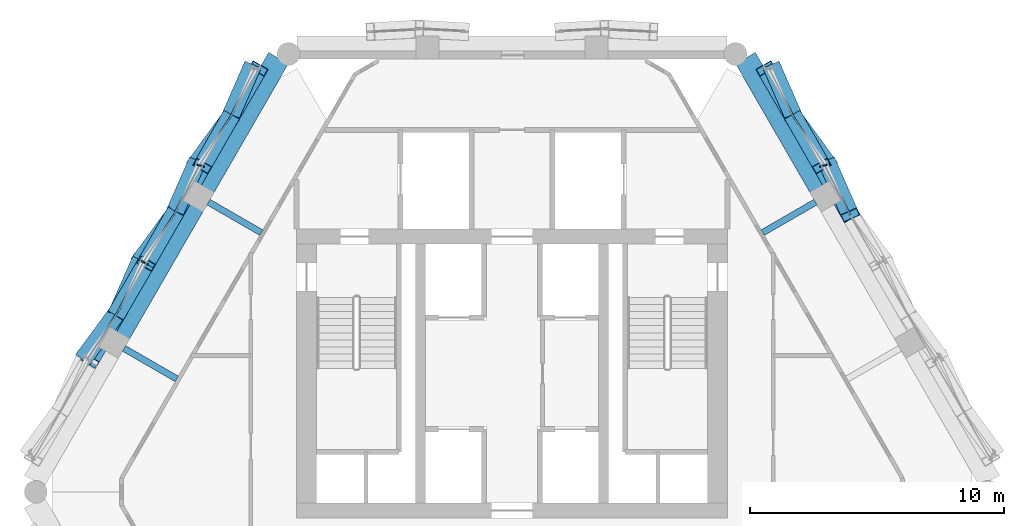
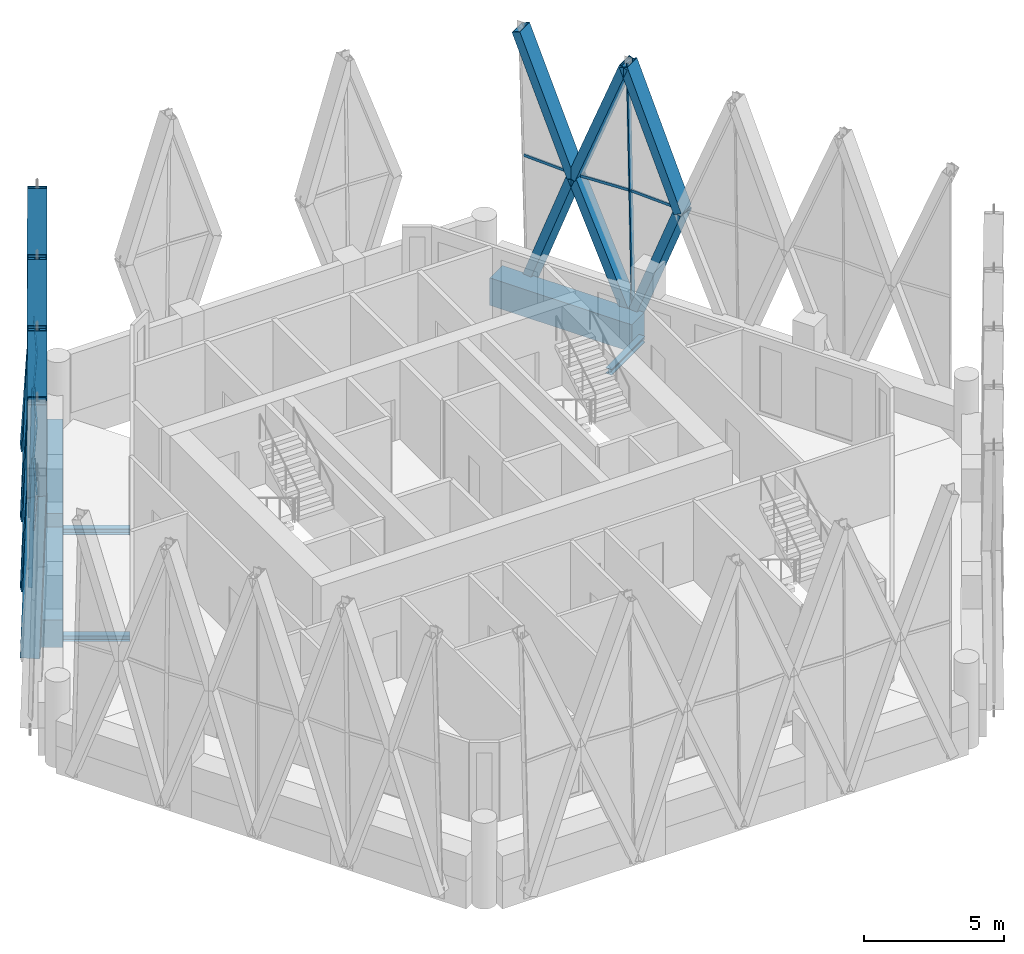
# One storey, part 5 of 22: 33 members, 6 beams, 4 elements without a shape of their own.
"""IFC4 building model written with IfcOpenShell, lengths in metres."""

from ifc_helpers import new_model, si_unit, direction, frame, origin, origin_2d, place, context, subcontext, project, spatial, rectangle, hollow_rectangle, i_section, extrude, material, material_profile, profile_set, type_object, element, aggregate, save


model = new_model("IFC4")

# Units and contexts
model_context = context("Model", 3, precision=1e-05, world=origin(), true_north=direction((0.0, 1.0)))
body_context = subcontext(model_context, "Body", "Model", "MODEL_VIEW")
ifc_project = project(units=[si_unit("LENGTHUNIT", "METRE"), si_unit("AREAUNIT", "SQUARE_METRE"), si_unit("VOLUMEUNIT", "CUBIC_METRE"), si_unit("PLANEANGLEUNIT", "RADIAN"), si_unit("MASSUNIT", "GRAM", prefix="KILO")], contexts=[model_context])

# Site, building, storey
site_placement = place(None, origin())
site = spatial("IfcSite", under=ifc_project, at=site_placement, CompositionType="ELEMENT")
building_placement = place(site_placement, origin())
building = spatial("IfcBuilding", under=site, at=building_placement, Name="Ostrander Bayou Hotel Tower", CompositionType="ELEMENT")
storey_placement = place(building_placement, frame((0.0, 0.0, 245.0)))
storey = spatial("IfcBuildingStorey", under=building, at=storey_placement, Name="L60", CompositionType="ELEMENT", Elevation=245.0)

# Curtain wall, members
ifc_material_1 = material(Name="Aluminium and clear glass", Category="aluminium")
curtain_wall_type = type_object("IfcCurtainWallType", Name="CW-LAT lattice glazing", PredefinedType="NOTDEFINED", material=ifc_material_1)
curtain_wall_1_placement = place(storey_placement, origin())
curtain_wall_1 = element("IfcCurtainWall", 1, at=curtain_wall_1_placement, inside=storey, type_object=curtain_wall_type, Name="CW-LAT L60 NW 1", PredefinedType="NOTDEFINED")
ifc_material_2 = material(Name="Aluminium", Category="aluminium")
ifc_material_profile_1 = material_profile(ifc_material_2, hollow_rectangle(XDim=0.06005859375, YDim=0.159912109375, WallThickness=0.00390625, at=origin_2d()))
ifc_profile_set_1 = profile_set([ifc_material_profile_1], Name="Aluminium")
member_type_1 = type_object("IfcMemberType", Name="CW-LA mullion 60 x 160 mm", PredefinedType="MULLION", material=ifc_profile_set_1)
member_1_placement = place(storey_placement, frame((-12.45556640625, 12.2353515625, -0.60009765625), z_axis=(0.022042924236, -0.005467339476, 0.999742075583), x_axis=(0.240736986276, 0.970590389113, 0.0)))
member_1 = element("IfcMember", 2, at=member_1_placement, type_object=member_type_1, Name="CW-LAT mullion 4", PredefinedType="MULLION", context=body_context, shape_type="SweptSolid", body=[
    extrude(hollow_rectangle(XDim=0.06005859375, YDim=0.159912109375, WallThickness=0.00390625, at=origin_2d()), origin(), (0.0, 0.0, 1.0), 5.62646484375),
])
member_2_placement = place(storey_placement, frame((-12.33154296875, 12.20458984375, 5.02490234375), z_axis=(0.022042929445, -0.005423949174, 0.999742311817), x_axis=(0.238935863932, 0.971035351018, 0.0)))
member_2 = element("IfcMember", 3, at=member_2_placement, type_object=member_type_1, Name="CW-LAT mullion 5", PredefinedType="MULLION", context=body_context, shape_type="SweptSolid", body=[
    extrude(hollow_rectangle(XDim=0.06005859375, YDim=0.159912109375, WallThickness=0.00390625, at=origin_2d()), origin(), (0.0, 0.0, 1.0), 5.62646484375),
])
member_3_placement = place(storey_placement, frame((-14.6396484375, 8.4521484375, -0.60009765625), z_axis=(0.018875724526, -0.010891510014, 0.999762512817), x_axis=(0.499779910804, 0.866152435058, 0.0)))
member_3 = element("IfcMember", 4, at=member_3_placement, type_object=member_type_1, Name="CW-LAT mullion 8", PredefinedType="MULLION", context=body_context, shape_type="SweptSolid", body=[
    extrude(hollow_rectangle(XDim=0.06005859375, YDim=0.159912109375, WallThickness=0.00390625, at=origin_2d()), origin(), (0.0, 0.0, 1.0), 5.626220703125),
])
member_4_placement = place(storey_placement, frame((-14.533447265625, 8.390869140625, 5.02490234375), z_axis=(0.018919101482, -0.010891501083, 0.999761693007), x_axis=(0.498919206287, 0.866648501757, 0.0)))
member_4 = element("IfcMember", 5, at=member_4_placement, type_object=member_type_1, Name="CW-LAT mullion 9", PredefinedType="MULLION", context=body_context, shape_type="SweptSolid", body=[
    extrude(hollow_rectangle(XDim=0.06005859375, YDim=0.159912109375, WallThickness=0.00390625, at=origin_2d()), origin(), (0.0, 0.0, 1.0), 5.626220703125),
])
aggregate(curtain_wall_1, [member_1, member_2, member_3, member_4])

curtain_wall_2_placement = place(storey_placement, origin())
curtain_wall_2 = element("IfcCurtainWall", 6, at=curtain_wall_2_placement, inside=storey, type_object=curtain_wall_type, Name="CW-LAT L60 NE 1", PredefinedType="NOTDEFINED")
member_5_placement = place(storey_placement, frame((12.45556640625, 12.2353515625, -0.60009765625), z_axis=(-0.022042924236, -0.005467339476, 0.999742075583), x_axis=(0.240736986276, -0.970590389113, 0.0)))
member_5 = element("IfcMember", 7, at=member_5_placement, type_object=member_type_1, Name="CW-LAT mullion 12", PredefinedType="MULLION", context=body_context, shape_type="SweptSolid", body=[
    extrude(hollow_rectangle(XDim=0.06005859375, YDim=0.159912109375, WallThickness=0.00390625, at=origin_2d()), origin(), (0.0, 0.0, 1.0), 5.62646484375),
])
member_6_placement = place(storey_placement, frame((12.33154296875, 12.20458984375, 5.02490234375), z_axis=(-0.022042929445, -0.005423949174, 0.999742311817), x_axis=(0.238935863932, -0.971035351018, 0.0)))
member_6 = element("IfcMember", 8, at=member_6_placement, type_object=member_type_1, Name="CW-LAT mullion 13", PredefinedType="MULLION", context=body_context, shape_type="SweptSolid", body=[
    extrude(hollow_rectangle(XDim=0.06005859375, YDim=0.159912109375, WallThickness=0.00390625, at=origin_2d()), origin(), (0.0, 0.0, 1.0), 5.62646484375),
])
aggregate(curtain_wall_2, [member_5, member_6])

curtain_wall_3_placement = place(storey_placement, origin())
curtain_wall_3 = element("IfcCurtainWall", 9, at=curtain_wall_3_placement, inside=storey, type_object=curtain_wall_type, Name="CW-LAT L60 NW 2", PredefinedType="NOTDEFINED")
ifc_material_3 = material(Name="Aluminium", Category="aluminium")
ifc_material_profile_2 = material_profile(ifc_material_3, hollow_rectangle(XDim=0.06005859375, YDim=0.1201171875, WallThickness=0.00390625, at=origin_2d()))
ifc_profile_set_2 = profile_set([ifc_material_profile_2], Name="Aluminium")
member_type_2 = type_object("IfcMemberType", Name="CW-LA transom 60 x 120 mm", PredefinedType="USERDEFINED", material=ifc_profile_set_2)
member_7_placement = place(storey_placement, frame((-10.129638671875, 16.0185546875, 5.02490234375), z_axis=(-0.454330476541, -0.890833215639, 0.0), x_axis=(0.890833215639, -0.454330476541, 0.0)))
member_7 = element("IfcMember", 10, at=member_7_placement, type_object=member_type_2, Name="CW-LAT transom 3", ObjectType="TRANSOM", PredefinedType="USERDEFINED", context=body_context, shape_type="SweptSolid", body=[
    extrude(hollow_rectangle(XDim=0.06005859375, YDim=0.1201171875, WallThickness=0.00390625, at=origin_2d()), origin(), (0.0, 0.0, 1.0), 2.204833984375),
])
member_8_placement = place(storey_placement, frame((-12.33154296875, 12.20458984375, 5.02490234375), z_axis=(0.54428377373, 0.838901170373, 0.0), x_axis=(-0.838901170373, 0.54428377373, 0.0)))
member_8 = element("IfcMember", 11, at=member_8_placement, type_object=member_type_2, Name="CW-LAT transom 6", ObjectType="TRANSOM", PredefinedType="USERDEFINED", context=body_context, shape_type="SweptSolid", body=[
    extrude(hollow_rectangle(XDim=0.06005859375, YDim=0.1201171875, WallThickness=0.00390625, at=origin_2d()), origin(), (0.0, 0.0, 1.0), 2.205078125),
])
member_9_placement = place(storey_placement, frame((-12.33154296875, 12.20458984375, 5.02490234375), z_axis=(-0.454330476541, -0.890833215639, 0.0), x_axis=(0.890833215639, -0.454330476541, 0.0)))
member_9 = element("IfcMember", 12, at=member_9_placement, type_object=member_type_2, Name="CW-LAT transom 7", ObjectType="TRANSOM", PredefinedType="USERDEFINED", context=body_context, shape_type="SweptSolid", body=[
    extrude(hollow_rectangle(XDim=0.06005859375, YDim=0.1201171875, WallThickness=0.00390625, at=origin_2d()), origin(), (0.0, 0.0, 1.0), 2.204833984375),
])
member_10_placement = place(storey_placement, frame((-14.533447265625, 8.390869140625, 5.02490234375), z_axis=(0.54433433076, 0.838868366525, 0.0), x_axis=(-0.838868366525, 0.54433433076, 0.0)))
member_10 = element("IfcMember", 13, at=member_10_placement, type_object=member_type_2, Name="CW-LAT transom 10", ObjectType="TRANSOM", PredefinedType="USERDEFINED", context=body_context, shape_type="SweptSolid", body=[
    extrude(hollow_rectangle(XDim=0.06005859375, YDim=0.1201171875, WallThickness=0.00390625, at=origin_2d()), origin(), (0.0, 0.0, 1.0), 2.204833984375),
])
member_11_placement = place(storey_placement, frame((-14.533447265625, 8.390869140625, 5.02490234375), z_axis=(-0.454330476541, -0.890833215639, 0.0), x_axis=(0.890833215639, -0.454330476541, 0.0)))
member_11 = element("IfcMember", 14, at=member_11_placement, type_object=member_type_2, Name="CW-LAT transom 11", ObjectType="TRANSOM", PredefinedType="USERDEFINED", context=body_context, shape_type="SweptSolid", body=[
    extrude(hollow_rectangle(XDim=0.06005859375, YDim=0.1201171875, WallThickness=0.00390625, at=origin_2d()), origin(), (0.0, 0.0, 1.0), 2.204833984375),
])
member_12_placement = place(storey_placement, frame((-16.7353515625, 4.5771484375, 5.02490234375), z_axis=(0.54433433076, 0.838868366525, 0.0), x_axis=(-0.838868366525, 0.54433433076, 0.0)))
member_12 = element("IfcMember", 15, at=member_12_placement, type_object=member_type_2, Name="CW-LAT transom 14", ObjectType="TRANSOM", PredefinedType="USERDEFINED", context=body_context, shape_type="SweptSolid", body=[
    extrude(hollow_rectangle(XDim=0.06005859375, YDim=0.1201171875, WallThickness=0.00390625, at=origin_2d()), origin(), (0.0, 0.0, 1.0), 2.204833984375),
])
aggregate(curtain_wall_3, [member_7, member_8, member_9, member_10, member_11, member_12])

curtain_wall_4_placement = place(storey_placement, origin())
curtain_wall_4 = element("IfcCurtainWall", 16, at=curtain_wall_4_placement, inside=storey, type_object=curtain_wall_type, Name="CW-LAT L60 NE 2", PredefinedType="NOTDEFINED")
member_13_placement = place(storey_placement, frame((12.33154296875, 12.20458984375, 5.02490234375), z_axis=(0.454330476541, -0.890833215639, 0.0), x_axis=(0.890833215639, 0.454330476541, 0.0)))
member_13 = element("IfcMember", 17, at=member_13_placement, type_object=member_type_2, Name="CW-LAT transom 14", ObjectType="TRANSOM", PredefinedType="USERDEFINED", context=body_context, shape_type="SweptSolid", body=[
    extrude(hollow_rectangle(XDim=0.06005859375, YDim=0.1201171875, WallThickness=0.00390625, at=origin_2d()), origin(), (0.0, 0.0, 1.0), 2.204833984375),
])
member_14_placement = place(storey_placement, frame((12.33154296875, 12.20458984375, 5.02490234375), z_axis=(-0.54428377373, 0.838901170373, 0.0), x_axis=(-0.838901170373, -0.54428377373, 0.0)))
member_14 = element("IfcMember", 18, at=member_14_placement, type_object=member_type_2, Name="CW-LAT transom 15", ObjectType="TRANSOM", PredefinedType="USERDEFINED", context=body_context, shape_type="SweptSolid", body=[
    extrude(hollow_rectangle(XDim=0.06005859375, YDim=0.1201171875, WallThickness=0.00390625, at=origin_2d()), origin(), (0.0, 0.0, 1.0), 2.205078125),
])
member_15_placement = place(storey_placement, frame((10.129638671875, 16.0185546875, 5.02490234375), z_axis=(0.454330476541, -0.890833215639, 0.0), x_axis=(0.890833215639, 0.454330476541, 0.0)))
member_15 = element("IfcMember", 19, at=member_15_placement, type_object=member_type_2, Name="CW-LAT transom 18", ObjectType="TRANSOM", PredefinedType="USERDEFINED", context=body_context, shape_type="SweptSolid", body=[
    extrude(hollow_rectangle(XDim=0.06005859375, YDim=0.1201171875, WallThickness=0.00390625, at=origin_2d()), origin(), (0.0, 0.0, 1.0), 2.204833984375),
])
aggregate(curtain_wall_4, [member_13, member_14, member_15])

# Beams
ifc_material_4 = material(Name="Steel ASTM A992", Category="steel")
ifc_material_profile_3 = material_profile(ifc_material_4, i_section(OverallWidth=0.25390625, OverallDepth=0.25341796875, WebThickness=0.008544921875, FlangeThickness=0.01416015625, at=origin_2d()))
ifc_profile_set_3 = profile_set([ifc_material_profile_3], Name="Steel ASTM A992")
beam_type_1 = type_object("IfcBeamType", Name="LB2 loggia bracket W10x49", PredefinedType="BEAM", material=ifc_profile_set_3)
for number, where, z_axis, x_axis, name in (
    (20, (-11.9619140625, 10.75048828125, -0.4267578125), (0.866050077142, -0.499957262057, 0.0), (0.499957262057, 0.866050077142, 0.0), "LB2 L60 NW1"),
    (21, (-15.291259765625, 4.98388671875, -0.4267578125), (0.866050077142, -0.499957262057, 0.0), (0.499957262057, 0.866050077142, 0.0), "LB2 L60 NW2"),
    (22, (11.9619140625, 10.75048828125, -0.4267578125), (-0.866050077142, -0.499957262057, 0.0), (0.499957262057, -0.866050077142, 0.0), "LB2 L60 NE2"),
):
    element("IfcBeam", number, at=place(storey_placement, frame(where, z_axis=z_axis, x_axis=x_axis)), inside=storey, type_object=beam_type_1, Name=name, PredefinedType="BEAM", context=body_context, shape_type="SweptSolid", body=[
        extrude(i_section(OverallWidth=0.25390625, OverallDepth=0.25341796875, WebThickness=0.008544921875, FlangeThickness=0.01416015625, at=origin_2d()), origin(), (0.0, 0.0, 1.0), 2.400146484375),
    ])

# Members
ifc_material_5 = material(Name="Steel ASTM A572 Gr 50", Category="steel")
ifc_material_profile_4 = material_profile(ifc_material_5, hollow_rectangle(XDim=0.699951171875, YDim=0.35009765625, WallThickness=0.02490234375, at=origin_2d()))
ifc_profile_set_4 = profile_set([ifc_material_profile_4], Name="Steel ASTM A572 Gr 50")
member_type_3 = type_object("IfcMemberType", Name="LT1 lattice member box 700 x 350 x 25 mm", PredefinedType="BRACE", material=ifc_profile_set_4)
member_16_placement = place(storey_placement, frame((-11.13134765625, 14.054443359375, 5.02490234375), z_axis=(0.142879436084, 0.326274499943, -0.934414478394), x_axis=(-0.91601877937, 0.401135383433, 0.0)))
element("IfcMember", 23, at=member_16_placement, inside=storey, type_object=member_type_3, Name="LT1 L60 NW 1", PredefinedType="BRACE", context=body_context, shape_type="SweptSolid", body=[
    extrude(hollow_rectangle(XDim=0.699951171875, YDim=0.35009765625, WallThickness=0.02490234375, at=origin_2d()), origin(), (0.0, 0.0, 1.0), 6.019775390625),
])
member_17_placement = place(storey_placement, frame((-11.13134765625, 14.054443359375, 5.02490234375), z_axis=(0.188493848396, 0.323747440296, 0.927177255987), x_axis=(-0.864195484681, 0.503156202641, 0.0)))
element("IfcMember", 24, at=member_17_placement, inside=storey, type_object=member_type_3, Name="LT1 L60 NW 2", PredefinedType="BRACE", context=body_context, shape_type="SweptSolid", body=[
    extrude(hollow_rectangle(XDim=0.699951171875, YDim=0.35009765625, WallThickness=0.02490234375, at=origin_2d()), origin(), (0.0, 0.0, 1.0), 6.06689453125),
])
member_18_placement = place(storey_placement, frame((-11.13134765625, 14.054443359375, 5.02490234375), z_axis=(-0.218578440214, -0.3002632666, -0.92847479029), x_axis=(0.808473244738, -0.58853293242, 0.0)))
element("IfcMember", 25, at=member_18_placement, inside=storey, type_object=member_type_3, Name="LT1 L60 NW 3", PredefinedType="BRACE", context=body_context, shape_type="SweptSolid", body=[
    extrude(hollow_rectangle(XDim=0.699951171875, YDim=0.35009765625, WallThickness=0.02490234375, at=origin_2d()), origin(), (0.0, 0.0, 1.0), 6.058349609375),
])
member_19_placement = place(storey_placement, frame((-11.13134765625, 14.054443359375, 5.02490234375), z_axis=(-0.178534292644, -0.311948984106, 0.93317379821), x_axis=(0.867910088652, -0.496721328328, 0.0)))
element("IfcMember", 26, at=member_19_placement, inside=storey, type_object=member_type_3, Name="LT1 L60 NW 4", PredefinedType="BRACE", context=body_context, shape_type="SweptSolid", body=[
    extrude(hollow_rectangle(XDim=0.699951171875, YDim=0.35009765625, WallThickness=0.02490234375, at=origin_2d()), origin(), (0.0, 0.0, 1.0), 6.02783203125),
])
member_20_placement = place(storey_placement, frame((-13.333251953125, 10.240478515625, 5.02490234375), z_axis=(0.145493999431, 0.330690255731, -0.932456675076), x_axis=(-0.915324942865, 0.402716089781, 0.0)))
element("IfcMember", 27, at=member_20_placement, inside=storey, type_object=member_type_3, Name="LT1 L60 NW 5", PredefinedType="BRACE", context=body_context, shape_type="SweptSolid", body=[
    extrude(hollow_rectangle(XDim=0.699951171875, YDim=0.35009765625, WallThickness=0.02490234375, at=origin_2d()), origin(), (0.0, 0.0, 1.0), 6.032470703125),
])
member_21_placement = place(storey_placement, frame((-13.333251953125, 10.240478515625, 5.02490234375), z_axis=(0.185959271811, 0.319409549499, 0.929191416725), x_axis=(-0.864206011843, 0.503138121289, 0.0)))
element("IfcMember", 28, at=member_21_placement, inside=storey, type_object=member_type_3, Name="LT1 L60 NW 6", PredefinedType="BRACE", context=body_context, shape_type="SweptSolid", body=[
    extrude(hollow_rectangle(XDim=0.699951171875, YDim=0.35009765625, WallThickness=0.02490234375, at=origin_2d()), origin(), (0.0, 0.0, 1.0), 6.0537109375),
])
member_22_placement = place(storey_placement, frame((-13.333251953125, 10.240478515625, 5.02490234375), z_axis=(-0.216101865985, -0.295822494551, -0.930477853168), x_axis=(0.807490080198, -0.58988114937, 0.0)))
element("IfcMember", 29, at=member_22_placement, inside=storey, type_object=member_type_3, Name="LT1 L60 NW 7", PredefinedType="BRACE", context=body_context, shape_type="SweptSolid", body=[
    extrude(hollow_rectangle(XDim=0.699951171875, YDim=0.35009765625, WallThickness=0.02490234375, at=origin_2d()), origin(), (0.0, 0.0, 1.0), 6.045166015625),
])
member_23_placement = place(storey_placement, frame((-13.333251953125, 10.240478515625, 5.02490234375), z_axis=(-0.181067539031, -0.316342774107, 0.931204486447), x_axis=(0.867888091678, -0.496759761175, 0.0)))
element("IfcMember", 30, at=member_23_placement, inside=storey, type_object=member_type_3, Name="LT1 L60 NW 8", PredefinedType="BRACE", context=body_context, shape_type="SweptSolid", body=[
    extrude(hollow_rectangle(XDim=0.699951171875, YDim=0.35009765625, WallThickness=0.02490234375, at=origin_2d()), origin(), (0.0, 0.0, 1.0), 6.04052734375),
])
member_24_placement = place(storey_placement, frame((-15.53515625, 6.4267578125, 5.02490234375), z_axis=(0.148134693691, 0.335039645272, -0.930486189377), x_axis=(-0.914591798249, 0.404378340884, 0.0)))
element("IfcMember", 31, at=member_24_placement, inside=storey, type_object=member_type_3, Name="LT1 L60 NW 9", PredefinedType="BRACE", context=body_context, shape_type="SweptSolid", body=[
    extrude(hollow_rectangle(XDim=0.699951171875, YDim=0.35009765625, WallThickness=0.02490234375, at=origin_2d()), origin(), (0.0, 0.0, 1.0), 6.045166015625),
])
member_25_placement = place(storey_placement, frame((-15.53515625, 6.4267578125, 5.02490234375), z_axis=(0.183449642421, 0.315004739597, 0.931191839917), x_axis=(-0.864140593634, 0.503250468887, 0.0)))
element("IfcMember", 32, at=member_25_placement, inside=storey, type_object=member_type_3, Name="LT1 L60 NW 10", PredefinedType="BRACE", context=body_context, shape_type="SweptSolid", body=[
    extrude(hollow_rectangle(XDim=0.699951171875, YDim=0.35009765625, WallThickness=0.02490234375, at=origin_2d()), origin(), (0.0, 0.0, 1.0), 6.04052734375),
])
member_26_placement = place(storey_placement, frame((-15.53515625, 6.4267578125, 5.02490234375), z_axis=(-0.213646786163, -0.291351243339, -0.932453486114), x_axis=(0.806419240715, -0.591344238329, 0.0)))
element("IfcMember", 33, at=member_26_placement, inside=storey, type_object=member_type_3, Name="LT1 L60 NW 11", PredefinedType="BRACE", context=body_context, shape_type="SweptSolid", body=[
    extrude(hollow_rectangle(XDim=0.699951171875, YDim=0.35009765625, WallThickness=0.02490234375, at=origin_2d()), origin(), (0.0, 0.0, 1.0), 6.032470703125),
])
member_27_placement = place(storey_placement, frame((-15.53515625, 6.4267578125, 5.02490234375), z_axis=(-0.183621311744, -0.320742431868, 0.929197237551), x_axis=(0.867846668759, -0.496832124086, 0.0)))
element("IfcMember", 34, at=member_27_placement, inside=storey, type_object=member_type_3, Name="LT1 L60 NW 12", PredefinedType="BRACE", context=body_context, shape_type="SweptSolid", body=[
    extrude(hollow_rectangle(XDim=0.699951171875, YDim=0.35009765625, WallThickness=0.02490234375, at=origin_2d()), origin(), (0.0, 0.0, 1.0), 6.0537109375),
])
member_28_placement = place(storey_placement, frame((13.333251953125, 10.240478515625, 5.02490234375), z_axis=(-0.145493999431, 0.330690255731, -0.932456675076), x_axis=(-0.915324942865, -0.402716089781, 0.0)))
element("IfcMember", 35, at=member_28_placement, inside=storey, type_object=member_type_3, Name="LT1 L60 NE 11", PredefinedType="BRACE", context=body_context, shape_type="SweptSolid", body=[
    extrude(hollow_rectangle(XDim=0.699951171875, YDim=0.35009765625, WallThickness=0.02490234375, at=origin_2d()), origin(), (0.0, 0.0, 1.0), 6.032470703125),
])
member_29_placement = place(storey_placement, frame((13.333251953125, 10.240478515625, 5.02490234375), z_axis=(-0.185959271811, 0.319409549499, 0.929191416725), x_axis=(-0.864206011843, -0.503138121289, 0.0)))
element("IfcMember", 36, at=member_29_placement, inside=storey, type_object=member_type_3, Name="LT1 L60 NE 12", PredefinedType="BRACE", context=body_context, shape_type="SweptSolid", body=[
    extrude(hollow_rectangle(XDim=0.699951171875, YDim=0.35009765625, WallThickness=0.02490234375, at=origin_2d()), origin(), (0.0, 0.0, 1.0), 6.0537109375),
])
member_30_placement = place(storey_placement, frame((11.13134765625, 14.054443359375, 5.02490234375), z_axis=(0.218578440214, -0.3002632666, -0.92847479029), x_axis=(0.808473244738, 0.58853293242, 0.0)))
element("IfcMember", 37, at=member_30_placement, inside=storey, type_object=member_type_3, Name="LT1 L60 NE 13", PredefinedType="BRACE", context=body_context, shape_type="SweptSolid", body=[
    extrude(hollow_rectangle(XDim=0.699951171875, YDim=0.35009765625, WallThickness=0.02490234375, at=origin_2d()), origin(), (0.0, 0.0, 1.0), 6.058349609375),
])
member_31_placement = place(storey_placement, frame((11.13134765625, 14.054443359375, 5.02490234375), z_axis=(0.178534292644, -0.311948984106, 0.93317379821), x_axis=(0.867910088652, 0.496721328328, 0.0)))
element("IfcMember", 38, at=member_31_placement, inside=storey, type_object=member_type_3, Name="LT1 L60 NE 14", PredefinedType="BRACE", context=body_context, shape_type="SweptSolid", body=[
    extrude(hollow_rectangle(XDim=0.699951171875, YDim=0.35009765625, WallThickness=0.02490234375, at=origin_2d()), origin(), (0.0, 0.0, 1.0), 6.02783203125),
])
member_32_placement = place(storey_placement, frame((11.13134765625, 14.054443359375, 5.02490234375), z_axis=(-0.142879436084, 0.326274499943, -0.934414478394), x_axis=(-0.91601877937, -0.401135383433, 0.0)))
element("IfcMember", 39, at=member_32_placement, inside=storey, type_object=member_type_3, Name="LT1 L60 NE 15", PredefinedType="BRACE", context=body_context, shape_type="SweptSolid", body=[
    extrude(hollow_rectangle(XDim=0.699951171875, YDim=0.35009765625, WallThickness=0.02490234375, at=origin_2d()), origin(), (0.0, 0.0, 1.0), 6.019775390625),
])
member_33_placement = place(storey_placement, frame((11.13134765625, 14.054443359375, 5.02490234375), z_axis=(-0.188493848396, 0.323747440296, 0.927177255987), x_axis=(-0.864195484681, -0.503156202641, 0.0)))
element("IfcMember", 40, at=member_33_placement, inside=storey, type_object=member_type_3, Name="LT1 L60 NE 16", PredefinedType="BRACE", context=body_context, shape_type="SweptSolid", body=[
    extrude(hollow_rectangle(XDim=0.699951171875, YDim=0.35009765625, WallThickness=0.02490234375, at=origin_2d()), origin(), (0.0, 0.0, 1.0), 6.06689453125),
])

# Beams
ifc_material_6 = material(Name="Concrete f'c 60 MPa", Category="concrete")
ifc_material_profile_5 = material_profile(ifc_material_6, rectangle(XDim=0.89990234375, YDim=1.199951171875, at=origin_2d()))
ifc_profile_set_5 = profile_set([ifc_material_profile_5], Name="Concrete f'c 60 MPa")
beam_type_2 = type_object("IfcBeamType", Name="SP4 spandrel beam 900 x 1200 mm f'c 60 MPa", PredefinedType="SPANDREL", material=ifc_profile_set_5)
beam_1_placement = place(storey_placement, frame((-9.20361328125, 16.427978515625, -0.60009765625), z_axis=(-0.500008985279, -0.866020216069, 0.0), x_axis=(0.866020216069, -0.500008985279, 0.0)))
element("IfcBeam", 41, at=beam_1_placement, inside=storey, type_object=beam_type_2, Name="SP4 L60 NW-1", PredefinedType="SPANDREL", context=body_context, shape_type="SweptSolid", body=[
    extrude(rectangle(XDim=0.89990234375, YDim=1.199951171875, at=origin_2d()), origin(), (0.0, 0.0, 1.0), 5.8759765625),
])
beam_2_placement = place(storey_placement, frame((-12.5615234375, 10.61181640625, -0.60009765625), z_axis=(-0.499997265274, -0.866026982673, 0.0), x_axis=(0.866026982673, -0.499997265274, 0.0)))
element("IfcBeam", 42, at=beam_2_placement, inside=storey, type_object=beam_type_2, Name="SP4 L60 NW-2", PredefinedType="SPANDREL", context=body_context, shape_type="SweptSolid", body=[
    extrude(rectangle(XDim=0.89990234375, YDim=1.199951171875, at=origin_2d()), origin(), (0.0, 0.0, 1.0), 5.81884765625),
])
beam_3_placement = place(storey_placement, frame((12.1416015625, 11.33935546875, -0.60009765625), z_axis=(-0.500008985279, 0.866020216069, 0.0), x_axis=(-0.866020216069, -0.500008985279, 0.0)))
element("IfcBeam", 43, at=beam_3_placement, inside=storey, type_object=beam_type_2, Name="SP4 L60 NE-3", PredefinedType="SPANDREL", context=body_context, shape_type="SweptSolid", body=[
    extrude(rectangle(XDim=0.89990234375, YDim=1.199951171875, at=origin_2d()), origin(), (0.0, 0.0, 1.0), 5.8759765625),
])

save(model, "model.ifc")
